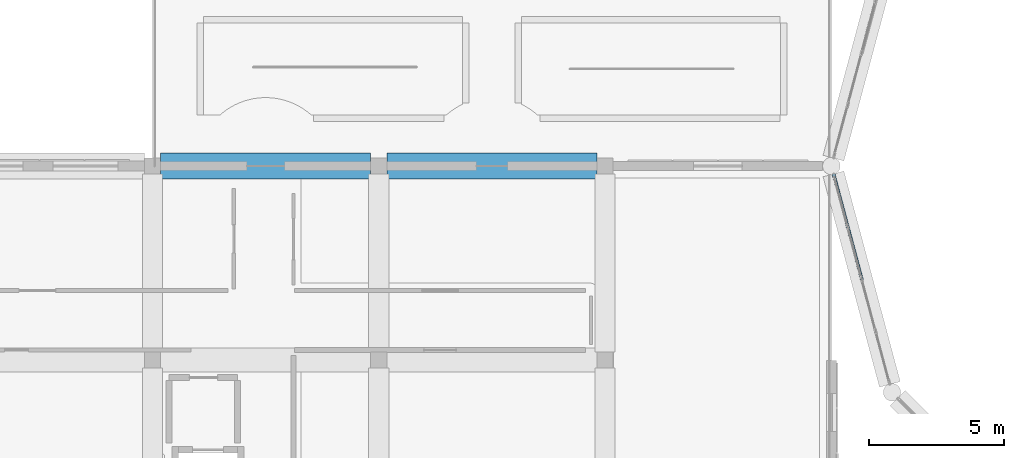
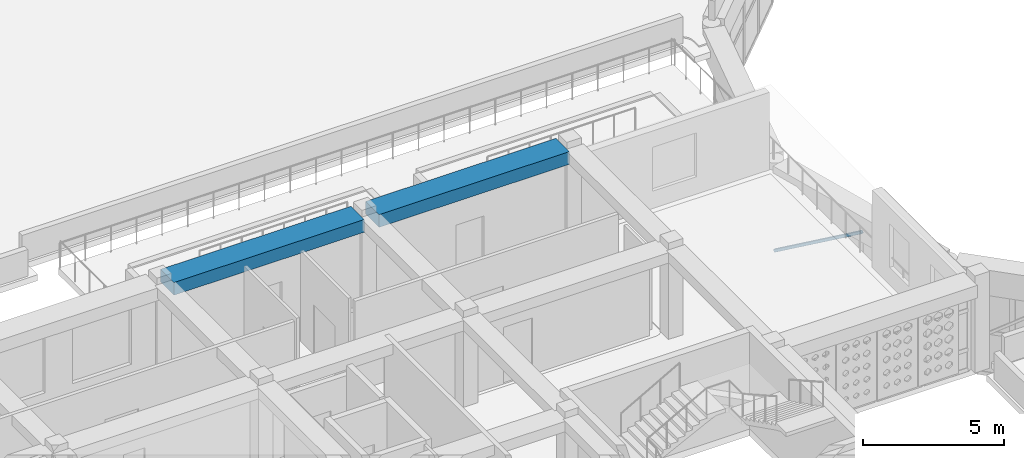
# One storey, part 16 of 48: 2 beams, 1 member.
"""IFC4 building model written with IfcOpenShell, lengths in metres."""

import ifcopenshell
import ifcopenshell.guid

model = None  # the IFC model being written
_history = None  # IfcOwnerHistory: only IFC2X3 demands one
_inside = {}  # id of a spatial element -> (the spatial element, [elements in it])
_under = {}  # id of a project, library or spatial element -> (it, [spatial elements below it])
_declared = {}  # id of a project -> (the project, [libraries it declares])
_typed = {}  # id of a type object -> (the type object, [elements of that type])
_made_of = {}  # id of a material, layer set ... -> (it, [elements and type objects made of it])


def new_model(schema):
    """Start an empty IFC model of exactly this schema.

    Asked for "IFC4X3", IfcOpenShell would pick the latest addendum, in which some entities
    have other attributes; the version numbers below select the first issue.
    IFC2X3 requires an IfcOwnerHistory on every rooted entity: one is made here for all.
    """
    global model, _history
    if schema == "IFC4X3":
        model = ifcopenshell.file(schema_version=(4, 3, 0, 0))
    else:
        model = ifcopenshell.file(schema=schema)
    _inside.clear()
    _under.clear()
    _declared.clear()
    _typed.clear()
    _made_of.clear()
    _history = None
    if model.schema == "IFC2X3":
        org = make("IfcOrganization", Name="unknown")
        user = make(
            "IfcPersonAndOrganization",
            ThePerson=make("IfcPerson", FamilyName="unknown"),
            TheOrganization=org,
        )
        app = make(
            "IfcApplication",
            ApplicationDeveloper=org,
            Version="unknown",
            ApplicationFullName="unknown",
            ApplicationIdentifier="unknown",
        )
        _history = make(
            "IfcOwnerHistory",
            OwningUser=user,
            OwningApplication=app,
            ChangeAction="ADDED",
            CreationDate=0,
        )
    return model


def make(cls, **values):
    """One entity of the class cls with the attributes given. An attribute that is None is left unset."""
    return model.create_entity(
        cls, **{name: value for name, value in values.items() if value is not None}
    )


def rooted(cls, **values):
    """An entity with a GlobalId (a new one), such as an element, a storey or a relation."""
    return make(cls, GlobalId=ifcopenshell.guid.new(), OwnerHistory=_history, **values)


def si_unit(unit_type, name, prefix=None):
    """IfcSIUnit, for example si_unit("LENGTHUNIT", "METRE", prefix="MILLI")."""
    return make("IfcSIUnit", UnitType=unit_type, Prefix=prefix, Name=name)


def derived_unit(unit_type, elements):
    """IfcDerivedUnit: a product of units, each with its exponent."""
    return make(
        "IfcDerivedUnit",
        Elements=[
            make("IfcDerivedUnitElement", Unit=unit, Exponent=power)
            for unit, power in elements
        ],
        UnitType=unit_type,
    )


def assignment(units):
    """IfcUnitAssignment: the units of a project."""
    return None if units is None else make("IfcUnitAssignment", Units=units)


def point(xyz):
    """IfcCartesianPoint."""
    return None if xyz is None else make("IfcCartesianPoint", Coordinates=xyz)


def direction(xyz):
    """IfcDirection."""
    return None if xyz is None else make("IfcDirection", DirectionRatios=xyz)


def frame(location, z_axis=None, x_axis=None):
    """IfcAxis2Placement3D, a coordinate frame: its origin and axes. An axis left out is left unset."""
    return make(
        "IfcAxis2Placement3D",
        Location=point(location),
        Axis=direction(z_axis),
        RefDirection=direction(x_axis),
    )


def frame_2d(location, x_axis=None):
    """IfcAxis2Placement2D, a coordinate frame in the plane: its origin and x axis."""
    return make(
        "IfcAxis2Placement2D", Location=point(location), RefDirection=direction(x_axis)
    )


def origin():
    """The frame at (0, 0, 0) with its axes left unset."""
    return frame((0.0, 0.0, 0.0))


def origin_2d():
    """The frame at (0, 0) in the plane with its x axis left unset."""
    return frame_2d((0.0, 0.0))


def place(relative_to, where):
    """IfcLocalPlacement: puts the frame where relative to a parent placement (None: the world)."""
    return make(
        "IfcLocalPlacement", PlacementRelTo=relative_to, RelativePlacement=where
    )


def context(
    kind, dimensions, precision=None, world=None, true_north=None, identifier=None
):
    """IfcGeometricRepresentationContext, for example the 3D "Model" context."""
    return make(
        "IfcGeometricRepresentationContext",
        ContextIdentifier=identifier,
        ContextType=kind,
        CoordinateSpaceDimension=dimensions,
        Precision=precision,
        WorldCoordinateSystem=world,
        TrueNorth=true_north,
    )


def subcontext(parent, identifier, kind, view, scale=None):
    """IfcGeometricRepresentationSubContext, for example "Body" below "Model"."""
    return make(
        "IfcGeometricRepresentationSubContext",
        ContextIdentifier=identifier,
        ContextType=kind,
        ParentContext=parent,
        TargetScale=scale,
        TargetView=view,
    )


def project(units=None, contexts=None):
    """IfcProject with its units and contexts."""
    return rooted(
        "IfcProject",
        Name="project",
        RepresentationContexts=contexts,
        UnitsInContext=assignment(units),
    )


def spatial(cls, under=None, at=None, **own):
    """A site, building, storey or space (cls), placed at a placement, below another one or the project."""
    s = rooted(cls, ObjectPlacement=at, **own)
    if under is not None:
        _under.setdefault(under.id(), (under, []))[1].append(s)
    return s


def profile(cls, at=None, kind="AREA", **sizes):
    """A parametric profile (cls). Its sizes go by their IFC names, for example OverallWidth=200.0."""
    return make(cls, ProfileType=kind, Position=at, **sizes)


def rectangle(**sizes):
    """IfcRectangleProfileDef."""
    return profile("IfcRectangleProfileDef", **sizes)


def hollow_rectangle(**sizes):
    """IfcRectangleHollowProfileDef."""
    return profile("IfcRectangleHollowProfileDef", **sizes)


def extrude(swept, where, along, depth):
    """IfcExtrudedAreaSolid: the profile swept, set in the frame where, extruded along a direction by depth."""
    return make(
        "IfcExtrudedAreaSolid",
        SweptArea=swept,
        Position=where,
        ExtrudedDirection=direction(along),
        Depth=depth,
    )


def shape(context_of_items, identifier, shape_type, items):
    """IfcShapeRepresentation: the items that make up one representation, for example the "Body"."""
    return make(
        "IfcShapeRepresentation",
        ContextOfItems=context_of_items,
        RepresentationIdentifier=identifier,
        RepresentationType=shape_type,
        Items=items,
    )


def material(Name=None, Category=None):
    """IfcMaterial."""
    return make("IfcMaterial", Name=Name, Category=Category)


def material_profile(
    of_material, cross_section, Name=None, Category=None, Priority=None
):
    """IfcMaterialProfile: a cross section and its material."""
    return make(
        "IfcMaterialProfile",
        Name=Name,
        Material=of_material,
        Profile=cross_section,
        Priority=Priority,
        Category=Category,
    )


def profile_set(profiles, Name=None, composite=None):
    """IfcMaterialProfileSet."""
    return make(
        "IfcMaterialProfileSet",
        Name=Name,
        MaterialProfiles=profiles,
        CompositeProfile=composite,
    )


def made_of(thing, what):
    """Note that an element or type object is made of a material, layer set ...; save() writes the relation."""
    if what is not None:
        _made_of.setdefault(what.id(), (what, []))[1].append(thing)
    return thing


def type_object(cls, material=None, **own):
    """A type object (cls), such as IfcWallType, which elements share."""
    return made_of(rooted(cls, **own), material)


def element(
    cls,
    number,
    at=None,
    inside=None,
    cuts=None,
    type_object=None,
    material=None,
    context=None,
    identifier="Body",
    shape_type=None,
    held_by="IfcProductDefinitionShape",
    body=None,
    shapes=None,
    **own,
):
    """One element of the class cls, such as IfcWall. Its Tag is "e" and its number.

    at: its placement. inside: the storey or other place that contains it. cuts: it is an
    opening in that element (IfcRelVoidsElement). A single representation is given by context,
    identifier, shape_type and body (its items); several are given by shapes. held_by: the class
    of the entity that holds the representations. save() writes the other relations.
    """
    e = rooted(cls, Tag="e%d" % number, ObjectPlacement=at, **own)
    if body is not None:
        shapes = [shape(context, identifier, shape_type, body)]
    if shapes is not None:
        e.Representation = make(held_by, Representations=shapes)
    if inside is not None:
        _inside.setdefault(inside.id(), (inside, []))[1].append(e)
    if cuts is not None:
        rooted(
            "IfcRelVoidsElement", RelatingBuildingElement=cuts, RelatedOpeningElement=e
        )
    if type_object is not None:
        _typed.setdefault(type_object.id(), (type_object, []))[1].append(e)
    return made_of(e, material)


def aggregate(whole, parts):
    """IfcRelAggregates: a whole, such as a stair, and the parts it consists of."""
    return rooted("IfcRelAggregates", RelatingObject=whole, RelatedObjects=parts)


def save(model, path):
    """Write the relations noted so far, then the file.

    IfcRelAggregates (storeys below a building ...), IfcRelContainedInSpatialStructure (elements
    in a storey), IfcRelDefinesByType, IfcRelAssociatesMaterial and IfcRelDeclares: one each for
    every whole, place, type object, material and project.
    """
    for whole, parts in _under.values():
        aggregate(whole, parts)
    for where, things in _inside.values():
        rooted(
            "IfcRelContainedInSpatialStructure",
            RelatedElements=things,
            RelatingStructure=where,
        )
    for kind, things in _typed.values():
        rooted("IfcRelDefinesByType", RelatedObjects=things, RelatingType=kind)
    for what, things in _made_of.values():
        rooted("IfcRelAssociatesMaterial", RelatedObjects=things, RelatingMaterial=what)
    for by, libraries in _declared.values():
        rooted("IfcRelDeclares", RelatingContext=by, RelatedDefinitions=libraries)
    model.write(path)


model = new_model("IFC4")

# Units and contexts
model_context = context("Model", 3, precision=1e-05, world=origin(), true_north=direction((0.0, 1.0)))
body_context = subcontext(model_context, "Body", "Model", "MODEL_VIEW")
ifc_project = project(units=[si_unit("LENGTHUNIT", "METRE"), si_unit("AREAUNIT", "SQUARE_METRE"), si_unit("VOLUMEUNIT", "CUBIC_METRE"), si_unit("PLANEANGLEUNIT", "RADIAN"), si_unit("MASSUNIT", "GRAM", prefix="KILO"), derived_unit("THERMALTRANSMITTANCEUNIT", [(si_unit("POWERUNIT", "WATT"), 1), (si_unit("LENGTHUNIT", "METRE"), -2), (si_unit("THERMODYNAMICTEMPERATUREUNIT", "KELVIN"), -1)])], contexts=[model_context])

# Site, building, storey
site_placement = place(None, origin())
site = spatial("IfcSite", under=ifc_project, at=site_placement, CompositionType="ELEMENT")
building_placement = place(site_placement, origin())
building = spatial("IfcBuilding", under=site, at=building_placement, Name="Veybourne Emporium", CompositionType="ELEMENT")
storey_placement = place(building_placement, frame((0.0, 0.0, 27.89990234375)))
storey = spatial("IfcBuildingStorey", under=building, at=storey_placement, Name="L06", CompositionType="ELEMENT", Elevation=27.89990234375)

# Beams
ifc_material_1 = material(Name="Concrete C32/40", Category="concrete")
ifc_material_profile_1 = material_profile(ifc_material_1, rectangle(XDim=0.949951171875, YDim=0.550048828125, at=origin_2d()), Name="RC 950x550")
ifc_profile_set_1 = profile_set([ifc_material_profile_1], Name="Concrete C32/40")
beam_type = type_object("IfcBeamType", Name="RCBeam_EB-01", PredefinedType="SPANDREL", material=ifc_profile_set_1)
for number, where, z_axis, x_axis, name in (
    (1, (33.89990234375, 50.39990234375, 3.635009765625), (1.0, 0.0, 0.0), (0.0, 1.0, 0.0), "L06 X-grid beam EB-01 (4,7)"),
    (2, (42.300048828125, 50.39990234375, 3.635009765625), (1.0, 0.0, 0.0), (0.0, 1.0, 0.0), "L06 X-grid beam EB-01 (5,7)"),
):
    element("IfcBeam", number, at=place(storey_placement, frame(where, z_axis=z_axis, x_axis=x_axis)), inside=storey, type_object=beam_type, Name=name, PredefinedType="SPANDREL", context=body_context, shape_type="SweptSolid", body=[
        extrude(rectangle(XDim=0.949951171875, YDim=0.550048828125, at=origin_2d()), origin(), (0.0, 0.0, 1.0), 7.800048828125),
    ])

# Member
ifc_material_2 = material(Name="Steel S355", Category="steel")
ifc_material_profile_2 = material_profile(ifc_material_2, hollow_rectangle(XDim=0.1201171875, YDim=0.1201171875, WallThickness=0.00634765625, InnerFilletRadius=0.009521484375, OuterFilletRadius=0.015869140625, at=origin_2d()), Name="SHS 120x120x6.3")
ifc_profile_set_2 = profile_set([ifc_material_profile_2], Name="Steel S355")
member_type = type_object("IfcMemberType", Name="SteelMem_CS-02", PredefinedType="STRUT", material=ifc_profile_set_2)
member_placement = place(storey_placement, frame((58.800048828125, 50.39990234375, -3.699951171875), z_axis=(0.214155619406, -0.799331551453, 0.561432490624), x_axis=(0.96593326505, 0.258791281673, 0.0)))
element("IfcMember", 3, at=member_placement, inside=storey, type_object=member_type, Name="Drum clerestory diagonal strut 07", PredefinedType="STRUT", context=body_context, shape_type="SweptSolid", body=[
    extrude(hollow_rectangle(XDim=0.1201171875, YDim=0.1201171875, WallThickness=0.00634765625, InnerFilletRadius=0.009521484375, OuterFilletRadius=0.015869140625, at=origin_2d()), origin(), (0.0, 0.0, 1.0), 5.25439453125),
])

save(model, "model.ifc")
